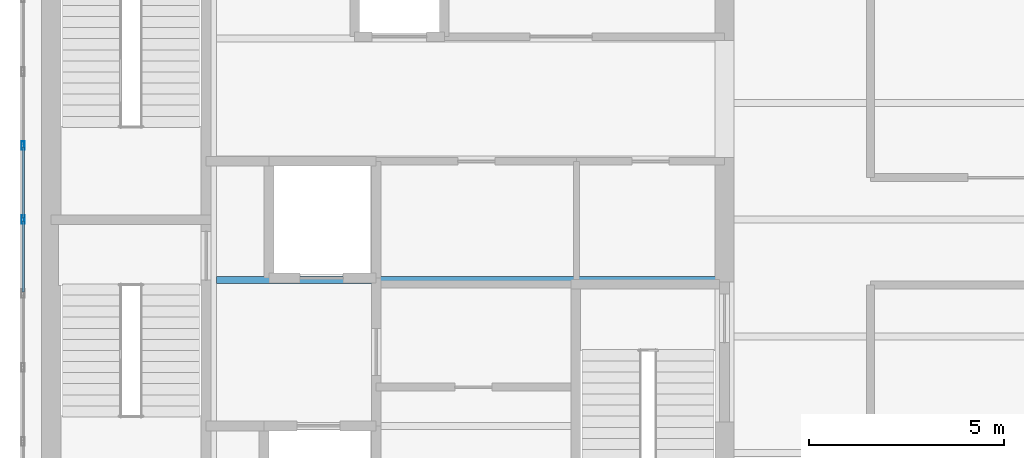
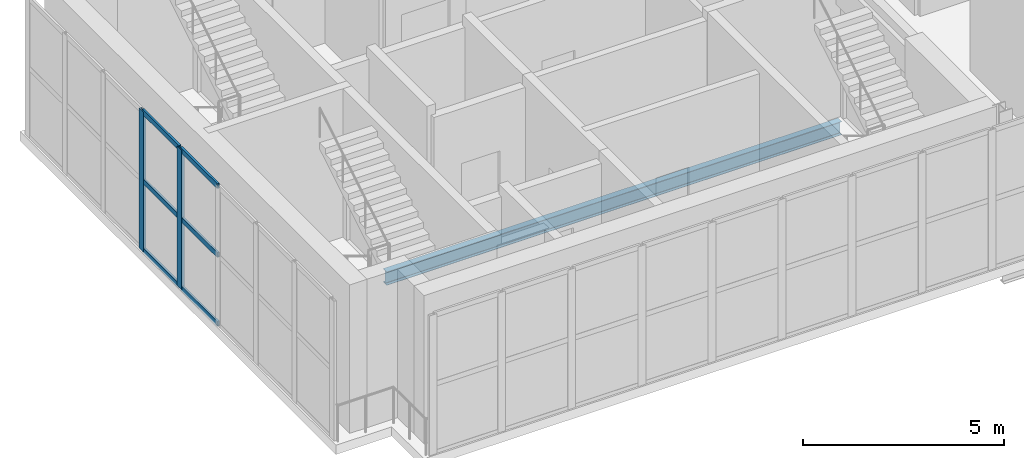
# One storey, part 3 of 21: 8 members, 1 beam, 1 element without a shape of its own.
"""IFC4 building model written with IfcOpenShell, lengths in metres."""

from ifc_helpers import new_model, si_unit, direction, frame, origin, origin_2d, place, context, subcontext, project, spatial, hollow_rectangle, i_section, extrude, material, layer, layer_set, material_profile, profile_set, type_object, element, aggregate, save


model = new_model("IFC4")

# Units and contexts
model_context = context("Model", 3, precision=1e-05, world=origin(), true_north=direction((0.0, 1.0)))
body_context = subcontext(model_context, "Body", "Model", "MODEL_VIEW")
ifc_project = project(units=[si_unit("LENGTHUNIT", "METRE"), si_unit("AREAUNIT", "SQUARE_METRE"), si_unit("VOLUMEUNIT", "CUBIC_METRE"), si_unit("PLANEANGLEUNIT", "RADIAN"), si_unit("MASSUNIT", "GRAM", prefix="KILO")], contexts=[model_context])

# Site, building, storey
site_placement = place(None, origin())
site = spatial("IfcSite", under=ifc_project, at=site_placement, CompositionType="ELEMENT")
building_placement = place(site_placement, origin())
building = spatial("IfcBuilding", under=site, at=building_placement, Name="Mawjdan Bourse Tower", CompositionType="ELEMENT")
storey_placement = place(building_placement, frame((0.0, 0.0, 317.699951171875)))
storey = spatial("IfcBuildingStorey", under=building, at=storey_placement, Name="L78", CompositionType="ELEMENT", Elevation=317.699951171875)

# Beam
ifc_material_1 = material(Name="Structural Steel S355", Category="steel")
ifc_material_profile_1 = material_profile(ifc_material_1, i_section(OverallWidth=0.177978515625, OverallDepth=0.406982421875, WebThickness=0.0078125, FlangeThickness=0.0126953125, FilletRadius=0.01025390625, at=origin_2d()), Name="W16X40")
ifc_profile_set_1 = profile_set([ifc_material_profile_1], Name="Structural Steel S355")
beam_type = type_object("IfcBeamType", Name="JST-W16X40", PredefinedType="JOIST", material=ifc_profile_set_1)
beam_placement = place(storey_placement, frame((10.593017578125, 10.449951171875, -0.4833984375), z_axis=(1.0, 0.0, 0.0), x_axis=(0.0, 1.0, 0.0)))
element("IfcBeam", 1, at=beam_placement, inside=storey, type_object=beam_type, Name="L78 Core Floor Joist 027", PredefinedType="JOIST", context=body_context, shape_type="SweptSolid", body=[
    extrude(i_section(OverallWidth=0.177978515625, OverallDepth=0.406982421875, WebThickness=0.0078125, FlangeThickness=0.0126953125, FilletRadius=0.01025390625, at=origin_2d()), origin(), (0.0, 0.0, 1.0), 13.056884765625),
])

# Curtain wall, members
ifc_material_2 = material(Name="Thermally Broken Aluminium and Solar Glass", Category="aluminium")
ifc_layer = layer(ifc_material_2, 0.219970703125)
ifc_layer_set = layer_set([ifc_layer], Name="Thermally Broken Aluminium and Solar Glass")
curtain_wall_type = type_object("IfcCurtainWallType", Name="CW-CRN", PredefinedType="USERDEFINED", material=ifc_layer_set)
curtain_wall_placement = place(storey_placement, origin())
curtain_wall = element("IfcCurtainWall", 2, at=curtain_wall_placement, inside=storey, type_object=curtain_wall_type, Name="L78 Lantern Crown West Curtain Wall", ObjectType="LANTERN GLAZED CROWN", PredefinedType="USERDEFINED")
ifc_material_3 = material(Name="Thermally Broken Anodised Aluminium", Category="aluminium")
ifc_material_profile_2 = material_profile(ifc_material_3, hollow_rectangle(XDim=0.074951171875, YDim=0.219970703125, WallThickness=0.0048828125, at=origin_2d()), Name="ALU-MUL-220X75")
ifc_profile_set_2 = profile_set([ifc_material_profile_2], Name="Thermally Broken Anodised Aluminium")
member_type_1 = type_object("IfcMemberType", Name="MUL-ALU-MUL-220X75", PredefinedType="MULLION", material=ifc_profile_set_2)
member_1_placement = place(storey_placement, frame((5.6298828125, 13.89990234375, 0.0), z_axis=(0.0, 0.0, 1.0), x_axis=(1.0, 0.0, 0.0)))
member_1 = element("IfcMember", 3, at=member_1_placement, type_object=member_type_1, Name="CW-CRN-L78-CRN-W mullion 4", PredefinedType="MULLION", context=body_context, shape_type="SweptSolid", body=[
    extrude(hollow_rectangle(XDim=0.074951171875, YDim=0.219970703125, WallThickness=0.0048828125, at=origin_2d()), origin(), (0.0, 0.0, 1.0), 4.239990234375),
])
member_2_placement = place(storey_placement, frame((5.6298828125, 12.0, 0.0), z_axis=(0.0, 0.0, 1.0), x_axis=(1.0, 0.0, 0.0)))
member_2 = element("IfcMember", 4, at=member_2_placement, type_object=member_type_1, Name="CW-CRN-L78-CRN-W mullion 5", PredefinedType="MULLION", context=body_context, shape_type="SweptSolid", body=[
    extrude(hollow_rectangle(XDim=0.074951171875, YDim=0.219970703125, WallThickness=0.0048828125, at=origin_2d()), origin(), (0.0, 0.0, 1.0), 4.239990234375),
])
ifc_material_profile_3 = material_profile(ifc_material_3, hollow_rectangle(XDim=0.06005859375, YDim=0.155029296875, WallThickness=0.00390625, at=origin_2d()), Name="ALU-TRN-155X60")
ifc_profile_set_3 = profile_set([ifc_material_profile_3], Name="Thermally Broken Anodised Aluminium")
member_type_2 = type_object("IfcMemberType", Name="TRN-ALU-TRN-155X60", PredefinedType="USERDEFINED", material=ifc_profile_set_3)
member_3_placement = place(storey_placement, frame((5.6298828125, 13.862548828125, 0.030029296875), z_axis=(0.0, -1.0, 0.0), x_axis=(1.0, 0.0, 0.0)))
member_3 = element("IfcMember", 5, at=member_3_placement, type_object=member_type_2, Name="CW-CRN-L78-CRN-W transom 4.1", ObjectType="TRANSOM", PredefinedType="USERDEFINED", context=body_context, shape_type="SweptSolid", body=[
    extrude(hollow_rectangle(XDim=0.06005859375, YDim=0.155029296875, WallThickness=0.00390625, at=origin_2d()), origin(), (0.0, 0.0, 1.0), 1.824951171875),
])
member_4_placement = place(storey_placement, frame((5.6298828125, 13.862548828125, 2.1201171875), z_axis=(0.0, -1.0, 0.0), x_axis=(1.0, 0.0, 0.0)))
member_4 = element("IfcMember", 6, at=member_4_placement, type_object=member_type_2, Name="CW-CRN-L78-CRN-W transom 4.2", ObjectType="TRANSOM", PredefinedType="USERDEFINED", context=body_context, shape_type="SweptSolid", body=[
    extrude(hollow_rectangle(XDim=0.06005859375, YDim=0.155029296875, WallThickness=0.00390625, at=origin_2d()), origin(), (0.0, 0.0, 1.0), 1.824951171875),
])
member_5_placement = place(storey_placement, frame((5.6298828125, 13.862548828125, 4.2099609375), z_axis=(0.0, -1.0, 0.0), x_axis=(1.0, 0.0, 0.0)))
member_5 = element("IfcMember", 7, at=member_5_placement, type_object=member_type_2, Name="CW-CRN-L78-CRN-W transom 4.3", ObjectType="TRANSOM", PredefinedType="USERDEFINED", context=body_context, shape_type="SweptSolid", body=[
    extrude(hollow_rectangle(XDim=0.06005859375, YDim=0.155029296875, WallThickness=0.00390625, at=origin_2d()), origin(), (0.0, 0.0, 1.0), 1.824951171875),
])
member_6_placement = place(storey_placement, frame((5.6298828125, 11.96240234375, 0.030029296875), z_axis=(0.0, -1.0, 0.0), x_axis=(1.0, 0.0, 0.0)))
member_6 = element("IfcMember", 8, at=member_6_placement, type_object=member_type_2, Name="CW-CRN-L78-CRN-W transom 5.1", ObjectType="TRANSOM", PredefinedType="USERDEFINED", context=body_context, shape_type="SweptSolid", body=[
    extrude(hollow_rectangle(XDim=0.06005859375, YDim=0.155029296875, WallThickness=0.00390625, at=origin_2d()), origin(), (0.0, 0.0, 1.0), 1.824951171875),
])
member_7_placement = place(storey_placement, frame((5.6298828125, 11.96240234375, 2.1201171875), z_axis=(0.0, -1.0, 0.0), x_axis=(1.0, 0.0, 0.0)))
member_7 = element("IfcMember", 9, at=member_7_placement, type_object=member_type_2, Name="CW-CRN-L78-CRN-W transom 5.2", ObjectType="TRANSOM", PredefinedType="USERDEFINED", context=body_context, shape_type="SweptSolid", body=[
    extrude(hollow_rectangle(XDim=0.06005859375, YDim=0.155029296875, WallThickness=0.00390625, at=origin_2d()), origin(), (0.0, 0.0, 1.0), 1.824951171875),
])
member_8_placement = place(storey_placement, frame((5.6298828125, 11.96240234375, 4.2099609375), z_axis=(0.0, -1.0, 0.0), x_axis=(1.0, 0.0, 0.0)))
member_8 = element("IfcMember", 10, at=member_8_placement, type_object=member_type_2, Name="CW-CRN-L78-CRN-W transom 5.3", ObjectType="TRANSOM", PredefinedType="USERDEFINED", context=body_context, shape_type="SweptSolid", body=[
    extrude(hollow_rectangle(XDim=0.06005859375, YDim=0.155029296875, WallThickness=0.00390625, at=origin_2d()), origin(), (0.0, 0.0, 1.0), 1.824951171875),
])
aggregate(curtain_wall, [member_1, member_2, member_3, member_4, member_5, member_6, member_7, member_8])

save(model, "model.ifc")
